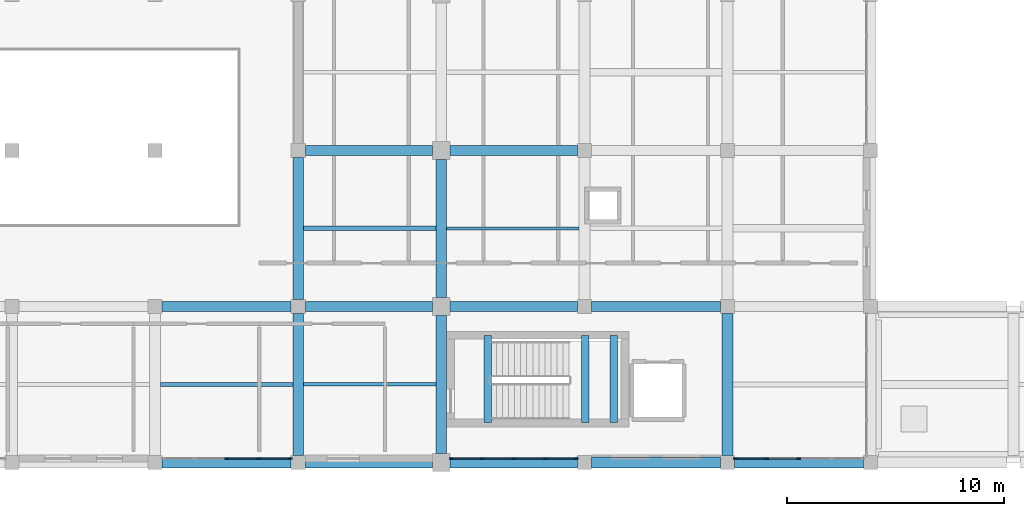
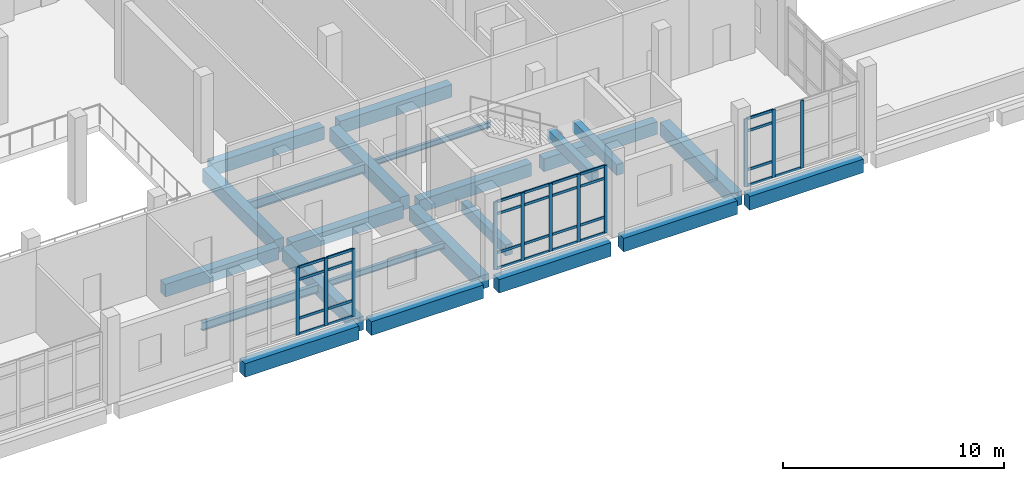
# One storey, part 15 of 90: 40 members, 23 beams, 3 elements without a shape of their own.
"""IFC4 building model written with IfcOpenShell, lengths in metres."""

from ifc_helpers import new_model, si_unit, direction, frame, origin, origin_2d, place, context, subcontext, project, spatial, rectangle, i_section, extrude, material, layer, layer_set, material_profile, profile_set, type_object, element, aggregate, save


model = new_model("IFC4")

# Units and contexts
model_context = context("Model", 3, precision=1e-05, world=origin(), true_north=direction((0.0, 1.0)))
body_context = subcontext(model_context, "Body", "Model", "MODEL_VIEW")
ifc_project = project(units=[si_unit("LENGTHUNIT", "METRE"), si_unit("AREAUNIT", "SQUARE_METRE"), si_unit("VOLUMEUNIT", "CUBIC_METRE"), si_unit("PLANEANGLEUNIT", "RADIAN"), si_unit("MASSUNIT", "GRAM", prefix="KILO")], contexts=[model_context])

# Site, building, storey
site_placement = place(None, origin())
site = spatial("IfcSite", under=ifc_project, at=site_placement, CompositionType="ELEMENT")
building_placement = place(site_placement, origin())
building = spatial("IfcBuilding", under=site, at=building_placement, Name="Kelarvand Opera House", CompositionType="ELEMENT")
storey_placement = place(building_placement, frame((0.0, 0.0, 5.39990234375)))
storey = spatial("IfcBuildingStorey", under=building, at=storey_placement, Name="L01", CompositionType="ELEMENT", Elevation=5.39990234375)

# Curtain wall, members
ifc_material_1 = material(Name="Thermally broken aluminium and low-E glazing", Category="aluminium")
ifc_layer_1 = layer(ifc_material_1, 0.179931640625, Name="Thermally broken aluminium and low-E glazing", Category="aluminium")
ifc_layer_set_1 = layer_set([ifc_layer_1], Name="Thermally broken aluminium and low-E glazing")
curtain_wall_type_1 = type_object("IfcCurtainWallType", Name="Unitised Low-E Curtain Wall 5930x3750 Mod 1350 CWF-55", PredefinedType="USERDEFINED", material=ifc_layer_set_1)
curtain_wall_1_placement = place(storey_placement, origin())
curtain_wall_1 = element("IfcCurtainWall", 1, at=curtain_wall_1_placement, inside=storey, type_object=curtain_wall_type_1, Name="V6 L01 Curtain Wall CWF-55 (213)", ObjectType="UNITISED CURTAIN WALL", PredefinedType="USERDEFINED")
ifc_material_2 = material(Name="Thermally broken anodised aluminium", Category="aluminium")
ifc_material_profile_1 = material_profile(ifc_material_2, rectangle(XDim=0.06494140625, YDim=0.179931640625, at=origin_2d()), Name="ALU MULLION 65x180", Category="aluminium")
ifc_profile_set_1 = profile_set([ifc_material_profile_1], Name="Thermally broken anodised aluminium")
member_type_1 = type_object("IfcMemberType", Name="Curtain Wall Mullion 65x180 Aluminium", PredefinedType="MULLION", material=ifc_profile_set_1)
member_1_placement = place(storey_placement, frame((131.89990234375, 9.179931640625, 0.0), z_axis=(0.0, 0.0, 1.0), x_axis=(0.0, -1.0, 0.0)))
member_1 = element("IfcMember", 2, at=member_1_placement, type_object=member_type_1, Name="CWF-55 mullion 3", PredefinedType="MULLION", context=body_context, shape_type="SweptSolid", body=[
    extrude(rectangle(XDim=0.06494140625, YDim=0.179931640625, at=origin_2d()), origin(), (0.0, 0.0, 1.0), 3.75),
])
member_2_placement = place(storey_placement, frame((130.41748046875, 9.179931640625, 0.0), z_axis=(0.0, 0.0, 1.0), x_axis=(0.0, -1.0, 0.0)))
member_2 = element("IfcMember", 3, at=member_2_placement, type_object=member_type_1, Name="CWF-55 mullion 4", PredefinedType="MULLION", context=body_context, shape_type="SweptSolid", body=[
    extrude(rectangle(XDim=0.06494140625, YDim=0.179931640625, at=origin_2d()), origin(), (0.0, 0.0, 1.0), 3.75),
])
member_3_placement = place(storey_placement, frame((128.967529296875, 9.179931640625, 0.0), z_axis=(0.0, 0.0, 1.0), x_axis=(0.0, -1.0, 0.0)))
member_3 = element("IfcMember", 4, at=member_3_placement, type_object=member_type_1, Name="CWF-55 mullion 5", PredefinedType="MULLION", context=body_context, shape_type="SweptSolid", body=[
    extrude(rectangle(XDim=0.06494140625, YDim=0.179931640625, at=origin_2d()), origin(), (0.0, 0.0, 1.0), 3.75),
])

ifc_layer_2 = layer(ifc_material_1, 0.179931640625, Name="Thermally broken aluminium and low-E glazing", Category="aluminium")
ifc_layer_set_2 = layer_set([ifc_layer_2], Name="Thermally broken aluminium and low-E glazing")
curtain_wall_type_2 = type_object("IfcCurtainWallType", Name="Unitised Low-E Curtain Wall 5845x3750 Mod 1350 CWF-56", PredefinedType="USERDEFINED", material=ifc_layer_set_2)
curtain_wall_2_placement = place(storey_placement, origin())
curtain_wall_2 = element("IfcCurtainWall", 5, at=curtain_wall_2_placement, inside=storey, type_object=curtain_wall_type_2, Name="V6 L01 Curtain Wall CWF-56 (214)", ObjectType="UNITISED CURTAIN WALL", PredefinedType="USERDEFINED")
member_4_placement = place(storey_placement, frame((121.632568359375, 9.179931640625, 0.0), z_axis=(0.0, 0.0, 1.0), x_axis=(0.0, -1.0, 0.0)))
member_4 = element("IfcMember", 6, at=member_4_placement, type_object=member_type_1, Name="CWF-56 mullion 1", PredefinedType="MULLION", context=body_context, shape_type="SweptSolid", body=[
    extrude(rectangle(XDim=0.06494140625, YDim=0.179931640625, at=origin_2d()), origin(), (0.0, 0.0, 1.0), 3.75),
])
member_5_placement = place(storey_placement, frame((120.203857421875, 9.179931640625, 0.0), z_axis=(0.0, 0.0, 1.0), x_axis=(0.0, -1.0, 0.0)))
member_5 = element("IfcMember", 7, at=member_5_placement, type_object=member_type_1, Name="CWF-56 mullion 2", PredefinedType="MULLION", context=body_context, shape_type="SweptSolid", body=[
    extrude(rectangle(XDim=0.06494140625, YDim=0.179931640625, at=origin_2d()), origin(), (0.0, 0.0, 1.0), 3.75),
])
member_6_placement = place(storey_placement, frame((118.742431640625, 9.179931640625, 0.0), z_axis=(0.0, 0.0, 1.0), x_axis=(0.0, -1.0, 0.0)))
member_6 = element("IfcMember", 8, at=member_6_placement, type_object=member_type_1, Name="CWF-56 mullion 3", PredefinedType="MULLION", context=body_context, shape_type="SweptSolid", body=[
    extrude(rectangle(XDim=0.06494140625, YDim=0.179931640625, at=origin_2d()), origin(), (0.0, 0.0, 1.0), 3.75),
])
member_7_placement = place(storey_placement, frame((117.28125, 9.179931640625, 0.0), z_axis=(0.0, 0.0, 1.0), x_axis=(0.0, -1.0, 0.0)))
member_7 = element("IfcMember", 9, at=member_7_placement, type_object=member_type_1, Name="CWF-56 mullion 4", PredefinedType="MULLION", context=body_context, shape_type="SweptSolid", body=[
    extrude(rectangle(XDim=0.06494140625, YDim=0.179931640625, at=origin_2d()), origin(), (0.0, 0.0, 1.0), 3.75),
])
member_8_placement = place(storey_placement, frame((115.8525390625, 9.179931640625, 0.0), z_axis=(0.0, 0.0, 1.0), x_axis=(0.0, -1.0, 0.0)))
member_8 = element("IfcMember", 10, at=member_8_placement, type_object=member_type_1, Name="CWF-56 mullion 5", PredefinedType="MULLION", context=body_context, shape_type="SweptSolid", body=[
    extrude(rectangle(XDim=0.06494140625, YDim=0.179931640625, at=origin_2d()), origin(), (0.0, 0.0, 1.0), 3.75),
])

curtain_wall_3_placement = place(storey_placement, origin())
curtain_wall_3 = element("IfcCurtainWall", 11, at=curtain_wall_3_placement, inside=storey, type_object=curtain_wall_type_1, Name="V6 L01 Curtain Wall CWF-55 (215)", ObjectType="UNITISED CURTAIN WALL", PredefinedType="USERDEFINED")
member_9_placement = place(storey_placement, frame((108.4326171875, 9.179931640625, 0.0), z_axis=(0.0, 0.0, 1.0), x_axis=(0.0, -1.0, 0.0)))
member_9 = element("IfcMember", 12, at=member_9_placement, type_object=member_type_1, Name="CWF-55 mullion 1", PredefinedType="MULLION", context=body_context, shape_type="SweptSolid", body=[
    extrude(rectangle(XDim=0.06494140625, YDim=0.179931640625, at=origin_2d()), origin(), (0.0, 0.0, 1.0), 3.75),
])
member_10_placement = place(storey_placement, frame((106.982421875, 9.179931640625, 0.0), z_axis=(0.0, 0.0, 1.0), x_axis=(0.0, -1.0, 0.0)))
member_10 = element("IfcMember", 13, at=member_10_placement, type_object=member_type_1, Name="CWF-55 mullion 2", PredefinedType="MULLION", context=body_context, shape_type="SweptSolid", body=[
    extrude(rectangle(XDim=0.06494140625, YDim=0.179931640625, at=origin_2d()), origin(), (0.0, 0.0, 1.0), 3.75),
])
member_11_placement = place(storey_placement, frame((105.5, 9.179931640625, 0.0), z_axis=(0.0, 0.0, 1.0), x_axis=(0.0, -1.0, 0.0)))
member_11 = element("IfcMember", 14, at=member_11_placement, type_object=member_type_1, Name="CWF-55 mullion 3", PredefinedType="MULLION", context=body_context, shape_type="SweptSolid", body=[
    extrude(rectangle(XDim=0.06494140625, YDim=0.179931640625, at=origin_2d()), origin(), (0.0, 0.0, 1.0), 3.75),
])

# Member
ifc_material_profile_2 = material_profile(ifc_material_2, rectangle(XDim=0.06494140625, YDim=0.139892578125, at=origin_2d()), Name="ALU TRANSOM 65x140", Category="aluminium")
ifc_profile_set_2 = profile_set([ifc_material_profile_2], Name="Thermally broken anodised aluminium")
member_type_2 = type_object("IfcMemberType", Name="Curtain Wall Transom 65x140 Aluminium", PredefinedType="USERDEFINED", material=ifc_profile_set_2)
member_12_placement = place(storey_placement, frame((131.867431640625, 9.179931640625, 0.03271484375), z_axis=(-1.0, 0.0, 0.0), x_axis=(0.0, -1.0, 0.0)))
member_12 = element("IfcMember", 15, at=member_12_placement, type_object=member_type_2, Name="CWF-55 transom 3.1", ObjectType="TRANSOM", PredefinedType="USERDEFINED", context=body_context, shape_type="SweptSolid", body=[
    extrude(rectangle(XDim=0.06494140625, YDim=0.139892578125, at=origin_2d()), origin(), (0.0, 0.0, 1.0), 1.41748046875),
])

member_13_placement = place(storey_placement, frame((130.385009765625, 9.179931640625, 0.03271484375), z_axis=(-1.0, 0.0, 0.0), x_axis=(0.0, -1.0, 0.0)))
member_13 = element("IfcMember", 16, at=member_13_placement, type_object=member_type_2, Name="CWF-55 transom 4.1", ObjectType="TRANSOM", PredefinedType="USERDEFINED", context=body_context, shape_type="SweptSolid", body=[
    extrude(rectangle(XDim=0.06494140625, YDim=0.139892578125, at=origin_2d()), origin(), (0.0, 0.0, 1.0), 1.385009765625),
])

member_14_placement = place(storey_placement, frame((130.385009765625, 9.179931640625, 0.900146484375), z_axis=(-1.0, 0.0, 0.0), x_axis=(0.0, -1.0, 0.0)))
member_14 = element("IfcMember", 17, at=member_14_placement, type_object=member_type_2, Name="CWF-55 transom 4.2", ObjectType="TRANSOM", PredefinedType="USERDEFINED", context=body_context, shape_type="SweptSolid", body=[
    extrude(rectangle(XDim=0.06494140625, YDim=0.139892578125, at=origin_2d()), origin(), (0.0, 0.0, 1.0), 1.385009765625),
])

member_15_placement = place(storey_placement, frame((130.385009765625, 9.179931640625, 3.050048828125), z_axis=(-1.0, 0.0, 0.0), x_axis=(0.0, -1.0, 0.0)))
member_15 = element("IfcMember", 18, at=member_15_placement, type_object=member_type_2, Name="CWF-55 transom 4.3", ObjectType="TRANSOM", PredefinedType="USERDEFINED", context=body_context, shape_type="SweptSolid", body=[
    extrude(rectangle(XDim=0.06494140625, YDim=0.139892578125, at=origin_2d()), origin(), (0.0, 0.0, 1.0), 1.385009765625),
])

member_16_placement = place(storey_placement, frame((130.385009765625, 9.179931640625, 3.717529296875), z_axis=(-1.0, 0.0, 0.0), x_axis=(0.0, -1.0, 0.0)))
member_16 = element("IfcMember", 19, at=member_16_placement, type_object=member_type_2, Name="CWF-55 transom 4.4", ObjectType="TRANSOM", PredefinedType="USERDEFINED", context=body_context, shape_type="SweptSolid", body=[
    extrude(rectangle(XDim=0.06494140625, YDim=0.139892578125, at=origin_2d()), origin(), (0.0, 0.0, 1.0), 1.385009765625),
])

aggregate(curtain_wall_1, [member_1, member_2, member_3, member_12, member_13, member_14, member_15, member_16])

member_17_placement = place(storey_placement, frame((121.60009765625, 9.179931640625, 0.03271484375), z_axis=(-1.0, 0.0, 0.0), x_axis=(0.0, -1.0, 0.0)))
member_17 = element("IfcMember", 20, at=member_17_placement, type_object=member_type_2, Name="CWF-56 transom 1.1", ObjectType="TRANSOM", PredefinedType="USERDEFINED", context=body_context, shape_type="SweptSolid", body=[
    extrude(rectangle(XDim=0.06494140625, YDim=0.139892578125, at=origin_2d()), origin(), (0.0, 0.0, 1.0), 1.36376953125),
])

member_18_placement = place(storey_placement, frame((121.60009765625, 9.179931640625, 0.900146484375), z_axis=(-1.0, 0.0, 0.0), x_axis=(0.0, -1.0, 0.0)))
member_18 = element("IfcMember", 21, at=member_18_placement, type_object=member_type_2, Name="CWF-56 transom 1.2", ObjectType="TRANSOM", PredefinedType="USERDEFINED", context=body_context, shape_type="SweptSolid", body=[
    extrude(rectangle(XDim=0.06494140625, YDim=0.139892578125, at=origin_2d()), origin(), (0.0, 0.0, 1.0), 1.36376953125),
])

member_19_placement = place(storey_placement, frame((121.60009765625, 9.179931640625, 3.050048828125), z_axis=(-1.0, 0.0, 0.0), x_axis=(0.0, -1.0, 0.0)))
member_19 = element("IfcMember", 22, at=member_19_placement, type_object=member_type_2, Name="CWF-56 transom 1.3", ObjectType="TRANSOM", PredefinedType="USERDEFINED", context=body_context, shape_type="SweptSolid", body=[
    extrude(rectangle(XDim=0.06494140625, YDim=0.139892578125, at=origin_2d()), origin(), (0.0, 0.0, 1.0), 1.36376953125),
])

member_20_placement = place(storey_placement, frame((121.60009765625, 9.179931640625, 3.717529296875), z_axis=(-1.0, 0.0, 0.0), x_axis=(0.0, -1.0, 0.0)))
member_20 = element("IfcMember", 23, at=member_20_placement, type_object=member_type_2, Name="CWF-56 transom 1.4", ObjectType="TRANSOM", PredefinedType="USERDEFINED", context=body_context, shape_type="SweptSolid", body=[
    extrude(rectangle(XDim=0.06494140625, YDim=0.139892578125, at=origin_2d()), origin(), (0.0, 0.0, 1.0), 1.36376953125),
])

member_21_placement = place(storey_placement, frame((120.171142578125, 9.179931640625, 0.03271484375), z_axis=(-1.0, 0.0, 0.0), x_axis=(0.0, -1.0, 0.0)))
member_21 = element("IfcMember", 24, at=member_21_placement, type_object=member_type_2, Name="CWF-56 transom 2.1", ObjectType="TRANSOM", PredefinedType="USERDEFINED", context=body_context, shape_type="SweptSolid", body=[
    extrude(rectangle(XDim=0.06494140625, YDim=0.139892578125, at=origin_2d()), origin(), (0.0, 0.0, 1.0), 1.396240234375),
])

member_22_placement = place(storey_placement, frame((120.171142578125, 9.179931640625, 0.900146484375), z_axis=(-1.0, 0.0, 0.0), x_axis=(0.0, -1.0, 0.0)))
member_22 = element("IfcMember", 25, at=member_22_placement, type_object=member_type_2, Name="CWF-56 transom 2.2", ObjectType="TRANSOM", PredefinedType="USERDEFINED", context=body_context, shape_type="SweptSolid", body=[
    extrude(rectangle(XDim=0.06494140625, YDim=0.139892578125, at=origin_2d()), origin(), (0.0, 0.0, 1.0), 1.396240234375),
])

member_23_placement = place(storey_placement, frame((120.171142578125, 9.179931640625, 3.050048828125), z_axis=(-1.0, 0.0, 0.0), x_axis=(0.0, -1.0, 0.0)))
member_23 = element("IfcMember", 26, at=member_23_placement, type_object=member_type_2, Name="CWF-56 transom 2.3", ObjectType="TRANSOM", PredefinedType="USERDEFINED", context=body_context, shape_type="SweptSolid", body=[
    extrude(rectangle(XDim=0.06494140625, YDim=0.139892578125, at=origin_2d()), origin(), (0.0, 0.0, 1.0), 1.396240234375),
])

member_24_placement = place(storey_placement, frame((120.171142578125, 9.179931640625, 3.717529296875), z_axis=(-1.0, 0.0, 0.0), x_axis=(0.0, -1.0, 0.0)))
member_24 = element("IfcMember", 27, at=member_24_placement, type_object=member_type_2, Name="CWF-56 transom 2.4", ObjectType="TRANSOM", PredefinedType="USERDEFINED", context=body_context, shape_type="SweptSolid", body=[
    extrude(rectangle(XDim=0.06494140625, YDim=0.139892578125, at=origin_2d()), origin(), (0.0, 0.0, 1.0), 1.396240234375),
])

member_25_placement = place(storey_placement, frame((118.7099609375, 9.179931640625, 0.03271484375), z_axis=(-1.0, 0.0, 0.0), x_axis=(0.0, -1.0, 0.0)))
member_25 = element("IfcMember", 28, at=member_25_placement, type_object=member_type_2, Name="CWF-56 transom 3.1", ObjectType="TRANSOM", PredefinedType="USERDEFINED", context=body_context, shape_type="SweptSolid", body=[
    extrude(rectangle(XDim=0.06494140625, YDim=0.139892578125, at=origin_2d()), origin(), (0.0, 0.0, 1.0), 1.396240234375),
])

member_26_placement = place(storey_placement, frame((118.7099609375, 9.179931640625, 0.900146484375), z_axis=(-1.0, 0.0, 0.0), x_axis=(0.0, -1.0, 0.0)))
member_26 = element("IfcMember", 29, at=member_26_placement, type_object=member_type_2, Name="CWF-56 transom 3.2", ObjectType="TRANSOM", PredefinedType="USERDEFINED", context=body_context, shape_type="SweptSolid", body=[
    extrude(rectangle(XDim=0.06494140625, YDim=0.139892578125, at=origin_2d()), origin(), (0.0, 0.0, 1.0), 1.396240234375),
])

member_27_placement = place(storey_placement, frame((118.7099609375, 9.179931640625, 3.050048828125), z_axis=(-1.0, 0.0, 0.0), x_axis=(0.0, -1.0, 0.0)))
member_27 = element("IfcMember", 30, at=member_27_placement, type_object=member_type_2, Name="CWF-56 transom 3.3", ObjectType="TRANSOM", PredefinedType="USERDEFINED", context=body_context, shape_type="SweptSolid", body=[
    extrude(rectangle(XDim=0.06494140625, YDim=0.139892578125, at=origin_2d()), origin(), (0.0, 0.0, 1.0), 1.396240234375),
])

member_28_placement = place(storey_placement, frame((118.7099609375, 9.179931640625, 3.717529296875), z_axis=(-1.0, 0.0, 0.0), x_axis=(0.0, -1.0, 0.0)))
member_28 = element("IfcMember", 31, at=member_28_placement, type_object=member_type_2, Name="CWF-56 transom 3.4", ObjectType="TRANSOM", PredefinedType="USERDEFINED", context=body_context, shape_type="SweptSolid", body=[
    extrude(rectangle(XDim=0.06494140625, YDim=0.139892578125, at=origin_2d()), origin(), (0.0, 0.0, 1.0), 1.396240234375),
])

member_29_placement = place(storey_placement, frame((117.248779296875, 9.179931640625, 0.03271484375), z_axis=(-1.0, 0.0, 0.0), x_axis=(0.0, -1.0, 0.0)))
member_29 = element("IfcMember", 32, at=member_29_placement, type_object=member_type_2, Name="CWF-56 transom 4.1", ObjectType="TRANSOM", PredefinedType="USERDEFINED", context=body_context, shape_type="SweptSolid", body=[
    extrude(rectangle(XDim=0.06494140625, YDim=0.139892578125, at=origin_2d()), origin(), (0.0, 0.0, 1.0), 1.36376953125),
])

member_30_placement = place(storey_placement, frame((117.248779296875, 9.179931640625, 0.900146484375), z_axis=(-1.0, 0.0, 0.0), x_axis=(0.0, -1.0, 0.0)))
member_30 = element("IfcMember", 33, at=member_30_placement, type_object=member_type_2, Name="CWF-56 transom 4.2", ObjectType="TRANSOM", PredefinedType="USERDEFINED", context=body_context, shape_type="SweptSolid", body=[
    extrude(rectangle(XDim=0.06494140625, YDim=0.139892578125, at=origin_2d()), origin(), (0.0, 0.0, 1.0), 1.36376953125),
])

member_31_placement = place(storey_placement, frame((117.248779296875, 9.179931640625, 3.050048828125), z_axis=(-1.0, 0.0, 0.0), x_axis=(0.0, -1.0, 0.0)))
member_31 = element("IfcMember", 34, at=member_31_placement, type_object=member_type_2, Name="CWF-56 transom 4.3", ObjectType="TRANSOM", PredefinedType="USERDEFINED", context=body_context, shape_type="SweptSolid", body=[
    extrude(rectangle(XDim=0.06494140625, YDim=0.139892578125, at=origin_2d()), origin(), (0.0, 0.0, 1.0), 1.36376953125),
])

member_32_placement = place(storey_placement, frame((117.248779296875, 9.179931640625, 3.717529296875), z_axis=(-1.0, 0.0, 0.0), x_axis=(0.0, -1.0, 0.0)))
member_32 = element("IfcMember", 35, at=member_32_placement, type_object=member_type_2, Name="CWF-56 transom 4.4", ObjectType="TRANSOM", PredefinedType="USERDEFINED", context=body_context, shape_type="SweptSolid", body=[
    extrude(rectangle(XDim=0.06494140625, YDim=0.139892578125, at=origin_2d()), origin(), (0.0, 0.0, 1.0), 1.36376953125),
])

aggregate(curtain_wall_2, [member_4, member_5, member_6, member_7, member_8, member_17, member_18, member_19, member_20, member_21, member_22, member_23, member_24, member_25, member_26, member_27, member_28, member_29, member_30, member_31, member_32])

member_33_placement = place(storey_placement, frame((108.39990234375, 9.179931640625, 0.03271484375), z_axis=(-1.0, 0.0, 0.0), x_axis=(0.0, -1.0, 0.0)))
member_33 = element("IfcMember", 36, at=member_33_placement, type_object=member_type_2, Name="CWF-55 transom 1.1", ObjectType="TRANSOM", PredefinedType="USERDEFINED", context=body_context, shape_type="SweptSolid", body=[
    extrude(rectangle(XDim=0.06494140625, YDim=0.139892578125, at=origin_2d()), origin(), (0.0, 0.0, 1.0), 1.385009765625),
])

member_34_placement = place(storey_placement, frame((108.39990234375, 9.179931640625, 0.900146484375), z_axis=(-1.0, 0.0, 0.0), x_axis=(0.0, -1.0, 0.0)))
member_34 = element("IfcMember", 37, at=member_34_placement, type_object=member_type_2, Name="CWF-55 transom 1.2", ObjectType="TRANSOM", PredefinedType="USERDEFINED", context=body_context, shape_type="SweptSolid", body=[
    extrude(rectangle(XDim=0.06494140625, YDim=0.139892578125, at=origin_2d()), origin(), (0.0, 0.0, 1.0), 1.385009765625),
])

member_35_placement = place(storey_placement, frame((108.39990234375, 9.179931640625, 3.050048828125), z_axis=(-1.0, 0.0, 0.0), x_axis=(0.0, -1.0, 0.0)))
member_35 = element("IfcMember", 38, at=member_35_placement, type_object=member_type_2, Name="CWF-55 transom 1.3", ObjectType="TRANSOM", PredefinedType="USERDEFINED", context=body_context, shape_type="SweptSolid", body=[
    extrude(rectangle(XDim=0.06494140625, YDim=0.139892578125, at=origin_2d()), origin(), (0.0, 0.0, 1.0), 1.385009765625),
])

member_36_placement = place(storey_placement, frame((108.39990234375, 9.179931640625, 3.717529296875), z_axis=(-1.0, 0.0, 0.0), x_axis=(0.0, -1.0, 0.0)))
member_36 = element("IfcMember", 39, at=member_36_placement, type_object=member_type_2, Name="CWF-55 transom 1.4", ObjectType="TRANSOM", PredefinedType="USERDEFINED", context=body_context, shape_type="SweptSolid", body=[
    extrude(rectangle(XDim=0.06494140625, YDim=0.139892578125, at=origin_2d()), origin(), (0.0, 0.0, 1.0), 1.385009765625),
])

member_37_placement = place(storey_placement, frame((106.949951171875, 9.179931640625, 0.03271484375), z_axis=(-1.0, 0.0, 0.0), x_axis=(0.0, -1.0, 0.0)))
member_37 = element("IfcMember", 40, at=member_37_placement, type_object=member_type_2, Name="CWF-55 transom 2.1", ObjectType="TRANSOM", PredefinedType="USERDEFINED", context=body_context, shape_type="SweptSolid", body=[
    extrude(rectangle(XDim=0.06494140625, YDim=0.139892578125, at=origin_2d()), origin(), (0.0, 0.0, 1.0), 1.41748046875),
])

member_38_placement = place(storey_placement, frame((106.949951171875, 9.179931640625, 0.900146484375), z_axis=(-1.0, 0.0, 0.0), x_axis=(0.0, -1.0, 0.0)))
member_38 = element("IfcMember", 41, at=member_38_placement, type_object=member_type_2, Name="CWF-55 transom 2.2", ObjectType="TRANSOM", PredefinedType="USERDEFINED", context=body_context, shape_type="SweptSolid", body=[
    extrude(rectangle(XDim=0.06494140625, YDim=0.139892578125, at=origin_2d()), origin(), (0.0, 0.0, 1.0), 1.41748046875),
])

member_39_placement = place(storey_placement, frame((106.949951171875, 9.179931640625, 3.050048828125), z_axis=(-1.0, 0.0, 0.0), x_axis=(0.0, -1.0, 0.0)))
member_39 = element("IfcMember", 42, at=member_39_placement, type_object=member_type_2, Name="CWF-55 transom 2.3", ObjectType="TRANSOM", PredefinedType="USERDEFINED", context=body_context, shape_type="SweptSolid", body=[
    extrude(rectangle(XDim=0.06494140625, YDim=0.139892578125, at=origin_2d()), origin(), (0.0, 0.0, 1.0), 1.41748046875),
])

member_40_placement = place(storey_placement, frame((106.949951171875, 9.179931640625, 3.717529296875), z_axis=(-1.0, 0.0, 0.0), x_axis=(0.0, -1.0, 0.0)))
member_40 = element("IfcMember", 43, at=member_40_placement, type_object=member_type_2, Name="CWF-55 transom 2.4", ObjectType="TRANSOM", PredefinedType="USERDEFINED", context=body_context, shape_type="SweptSolid", body=[
    extrude(rectangle(XDim=0.06494140625, YDim=0.139892578125, at=origin_2d()), origin(), (0.0, 0.0, 1.0), 1.41748046875),
])

aggregate(curtain_wall_3, [member_9, member_10, member_11, member_33, member_34, member_35, member_36, member_37, member_38, member_39, member_40])

# Beams
ifc_material_3 = material(Name="Concrete C35/45", Category="concrete")
ifc_material_profile_3 = material_profile(ifc_material_3, rectangle(XDim=0.35009765625, YDim=0.60009765625, at=origin_2d()), Name="RC 350x600", Category="concrete")
ifc_profile_set_3 = profile_set([ifc_material_profile_3], Name="Concrete C35/45")
beam_type_1 = type_object("IfcBeamType", Name="Structural Beam RC 350x600 BM-RC350x600", PredefinedType="BEAM", material=ifc_profile_set_3)
for number, where, z_axis, x_axis, name in (
    (44, (117.5400390625, 10.85009765625, -0.52001953125), (0.0, 1.0, 0.0), (-1.0, 0.0, 0.0), "C8 Stair Landing Support Beam L01"),
    (45, (122.050048828125, 10.85009765625, 1.900146484375), (0.0, 1.0, 0.0), (-1.0, 0.0, 0.0), "C8 Stair Half-Landing Beam 1 L01"),
    (46, (123.35009765625, 10.85009765625, 1.900146484375), (0.0, 1.0, 0.0), (-1.0, 0.0, 0.0), "C8 Stair Half-Landing Beam 2 L01"),
):
    element("IfcBeam", number, at=place(storey_placement, frame(where, z_axis=z_axis, x_axis=x_axis)), inside=storey, type_object=beam_type_1, Name=name, PredefinedType="BEAM", context=body_context, shape_type="SweptSolid", body=[
        extrude(rectangle(XDim=0.35009765625, YDim=0.60009765625, at=origin_2d()), origin(), (0.0, 0.0, 1.0), 4.0),
    ])
ifc_material_4 = material(Name="Concrete C40/50", Category="concrete")
ifc_material_profile_4 = material_profile(ifc_material_4, rectangle(XDim=0.449951171875, YDim=0.699951171875, at=origin_2d()), Name="RC 450x700", Category="concrete")
ifc_profile_set_4 = profile_set([ifc_material_profile_4], Name="Concrete C40/50")
beam_type_2 = type_object("IfcBeamType", Name="Structural Beam RC 450x700 BM-RC450x700", PredefinedType="BEAM", material=ifc_profile_set_4)
beam_1_placement = place(storey_placement, frame((102.52490234375, 16.199951171875, -0.64990234375), z_axis=(1.0, 0.0, 0.0), x_axis=(0.0, 1.0, 0.0)))
element("IfcBeam", 47, at=beam_1_placement, inside=storey, type_object=beam_type_2, Name="V6 L01 Beam BM-RC450x700", PredefinedType="BEAM", context=body_context, shape_type="SweptSolid", body=[
    extrude(rectangle(XDim=0.449951171875, YDim=0.699951171875, at=origin_2d()), origin(), (0.0, 0.0, 1.0), 5.9501953125),
])
for number, where, z_axis, x_axis, name in (
    (48, (109.125, 16.199951171875, -0.64990234375), (1.0, 0.0, 0.0), (0.0, 1.0, 0.0), "V6 L01 Beam BM-RC450x700"),
    (49, (115.81005859375, 16.199951171875, -0.64990234375), (1.0, 0.0, 0.0), (0.0, 1.0, 0.0), "V6 L01 Beam BM-RC450x700"),
):
    element("IfcBeam", number, at=place(storey_placement, frame(where, z_axis=z_axis, x_axis=x_axis)), inside=storey, type_object=beam_type_2, Name=name, PredefinedType="BEAM", context=body_context, shape_type="SweptSolid", body=[
        extrude(rectangle(XDim=0.449951171875, YDim=0.699951171875, at=origin_2d()), origin(), (0.0, 0.0, 1.0), 5.864990234375),
    ])
beam_2_placement = place(storey_placement, frame((122.324951171875, 16.199951171875, -0.64990234375), z_axis=(1.0, 0.0, 0.0), x_axis=(0.0, 1.0, 0.0)))
element("IfcBeam", 50, at=beam_2_placement, inside=storey, type_object=beam_type_2, Name="V6 L01 Beam BM-RC450x700", PredefinedType="BEAM", context=body_context, shape_type="SweptSolid", body=[
    extrude(rectangle(XDim=0.449951171875, YDim=0.699951171875, at=origin_2d()), origin(), (0.0, 0.0, 1.0), 5.949951171875),
])
for number, where, z_axis, x_axis, name in (
    (51, (109.125, 23.39990234375, -0.64990234375), (1.0, 0.0, 0.0), (0.0, 1.0, 0.0), "V6 L01 Beam BM-RC450x700"),
    (52, (115.81005859375, 23.39990234375, -0.64990234375), (1.0, 0.0, 0.0), (0.0, 1.0, 0.0), "V6 L01 Beam BM-RC450x700"),
):
    element("IfcBeam", number, at=place(storey_placement, frame(where, z_axis=z_axis, x_axis=x_axis)), inside=storey, type_object=beam_type_2, Name=name, PredefinedType="BEAM", context=body_context, shape_type="SweptSolid", body=[
        extrude(rectangle(XDim=0.449951171875, YDim=0.699951171875, at=origin_2d()), origin(), (0.0, 0.0, 1.0), 5.864990234375),
    ])
ifc_material_profile_5 = material_profile(ifc_material_4, rectangle(XDim=0.5, YDim=0.75, at=origin_2d()), Name="RC 500x750", Category="concrete")
ifc_profile_set_5 = profile_set([ifc_material_profile_5], Name="Concrete C40/50")
beam_type_3 = type_object("IfcBeamType", Name="Structural Beam RC 500x750 BM-RC500x750", PredefinedType="BEAM", material=ifc_profile_set_5)
for number, where, z_axis, x_axis, name in (
    (53, (108.800048828125, 9.324951171875, -0.6748046875), (0.0, 1.0, 0.0), (-1.0, 0.0, 0.0), "V6 L01 Beam BM-RC500x750"),
    (54, (108.800048828125, 16.52490234375, -0.6748046875), (0.0, 1.0, 0.0), (-1.0, 0.0, 0.0), "V6 L01 Beam BM-RC500x750"),
):
    element("IfcBeam", number, at=place(storey_placement, frame(where, z_axis=z_axis, x_axis=x_axis)), inside=storey, type_object=beam_type_3, Name=name, PredefinedType="BEAM", context=body_context, shape_type="SweptSolid", body=[
        extrude(rectangle(XDim=0.5, YDim=0.75, at=origin_2d()), origin(), (0.0, 0.0, 1.0), 6.550048828125),
    ])
beam_3_placement = place(storey_placement, frame((115.39990234375, 9.409912109375, -0.6748046875), z_axis=(0.0, 1.0, 0.0), x_axis=(-1.0, 0.0, 0.0)))
element("IfcBeam", 55, at=beam_3_placement, inside=storey, type_object=beam_type_3, Name="V6 L01 Beam BM-RC500x750", PredefinedType="BEAM", context=body_context, shape_type="SweptSolid", body=[
    extrude(rectangle(XDim=0.5, YDim=0.75, at=origin_2d()), origin(), (0.0, 0.0, 1.0), 6.380126953125),
])
beam_4_placement = place(storey_placement, frame((115.39990234375, 16.610107421875, -0.6748046875), z_axis=(0.0, 1.0, 0.0), x_axis=(-1.0, 0.0, 0.0)))
element("IfcBeam", 56, at=beam_4_placement, inside=storey, type_object=beam_type_3, Name="V6 L01 Beam BM-RC500x750", PredefinedType="BEAM", context=body_context, shape_type="SweptSolid", body=[
    extrude(rectangle(XDim=0.5, YDim=0.75, at=origin_2d()), origin(), (0.0, 0.0, 1.0), 6.3798828125),
])
beam_5_placement = place(storey_placement, frame((128.60009765625, 9.324951171875, -0.6748046875), z_axis=(0.0, 1.0, 0.0), x_axis=(-1.0, 0.0, 0.0)))
element("IfcBeam", 57, at=beam_5_placement, inside=storey, type_object=beam_type_3, Name="V6 L01 Beam BM-RC500x750", PredefinedType="BEAM", context=body_context, shape_type="SweptSolid", body=[
    extrude(rectangle(XDim=0.5, YDim=0.75, at=origin_2d()), origin(), (0.0, 0.0, 1.0), 6.550048828125),
])
ifc_material_5 = material(Name="Steel S355", Category="steel")
ifc_material_profile_6 = material_profile(ifc_material_5, i_section(OverallWidth=0.14990234375, OverallDepth=0.300048828125, WebThickness=0.007080078125, FlangeThickness=0.0107421875, at=origin_2d()), Name="IPE 300", Category="steel")
ifc_profile_set_6 = profile_set([ifc_material_profile_6], Name="Steel S355")
beam_type_4 = type_object("IfcBeamType", Name="Structural Joist IPE 300 JS-IPE300", PredefinedType="JOIST", material=ifc_profile_set_6)
beam_6_placement = place(storey_placement, frame((115.64990234375, 19.800048828125, -0.449951171875), z_axis=(1.0, 0.0, 0.0), x_axis=(0.0, 1.0, 0.0)))
element("IfcBeam", 58, at=beam_6_placement, inside=storey, type_object=beam_type_4, Name="V6 L01 Beam JS-IPE300", PredefinedType="JOIST", context=body_context, shape_type="SweptSolid", body=[
    extrude(i_section(OverallWidth=0.14990234375, OverallDepth=0.300048828125, WebThickness=0.007080078125, FlangeThickness=0.0107421875, at=origin_2d()), origin(), (0.0, 0.0, 1.0), 6.10009765625),
])
ifc_material_profile_7 = material_profile(ifc_material_5, i_section(OverallWidth=0.159912109375, OverallDepth=0.330078125, WebThickness=0.007568359375, FlangeThickness=0.011474609375, at=origin_2d()), Name="IPE 330", Category="steel")
ifc_profile_set_7 = profile_set([ifc_material_profile_7], Name="Steel S355")
beam_type_5 = type_object("IfcBeamType", Name="Structural Joist IPE 330 JS-IPE330", PredefinedType="JOIST", material=ifc_profile_set_7)
beam_7_placement = place(storey_placement, frame((109.050048828125, 12.60009765625, -0.46484375), z_axis=(1.0, 0.0, 0.0), x_axis=(0.0, 1.0, 0.0)))
element("IfcBeam", 59, at=beam_7_placement, inside=storey, type_object=beam_type_5, Name="V6 L01 Beam JS-IPE330", PredefinedType="JOIST", context=body_context, shape_type="SweptSolid", body=[
    extrude(i_section(OverallWidth=0.159912109375, OverallDepth=0.330078125, WebThickness=0.007568359375, FlangeThickness=0.011474609375, at=origin_2d()), origin(), (0.0, 0.0, 1.0), 6.099853515625),
])
ifc_material_profile_8 = material_profile(ifc_material_5, i_section(OverallWidth=0.18994140625, OverallDepth=0.449951171875, WebThickness=0.009521484375, FlangeThickness=0.0146484375, at=origin_2d()), Name="IPE 450", Category="steel")
ifc_profile_set_8 = profile_set([ifc_material_profile_8], Name="Steel S355")
beam_type_6 = type_object("IfcBeamType", Name="Structural Joist IPE 450 JS-IPE450", PredefinedType="JOIST", material=ifc_profile_set_8)
beam_8_placement = place(storey_placement, frame((102.449951171875, 12.60009765625, -0.52490234375), z_axis=(1.0, 0.0, 0.0), x_axis=(0.0, 1.0, 0.0)))
element("IfcBeam", 60, at=beam_8_placement, inside=storey, type_object=beam_type_6, Name="V6 L01 Beam JS-IPE450", PredefinedType="JOIST", context=body_context, shape_type="SweptSolid", body=[
    extrude(i_section(OverallWidth=0.18994140625, OverallDepth=0.449951171875, WebThickness=0.009521484375, FlangeThickness=0.0146484375, at=origin_2d()), origin(), (0.0, 0.0, 1.0), 6.10009765625),
])
ifc_material_profile_9 = material_profile(ifc_material_5, i_section(OverallWidth=0.199951171875, OverallDepth=0.5, WebThickness=0.01025390625, FlangeThickness=0.01611328125, at=origin_2d()), Name="IPE 500", Category="steel")
ifc_profile_set_9 = profile_set([ifc_material_profile_9], Name="Steel S355")
beam_type_7 = type_object("IfcBeamType", Name="Structural Joist IPE 500 JS-IPE500", PredefinedType="JOIST", material=ifc_profile_set_9)
beam_9_placement = place(storey_placement, frame((109.050048828125, 19.800048828125, -0.5498046875), z_axis=(1.0, 0.0, 0.0), x_axis=(0.0, 1.0, 0.0)))
element("IfcBeam", 61, at=beam_9_placement, inside=storey, type_object=beam_type_7, Name="V6 L01 Beam JS-IPE500", PredefinedType="JOIST", context=body_context, shape_type="SweptSolid", body=[
    extrude(i_section(OverallWidth=0.199951171875, OverallDepth=0.5, WebThickness=0.01025390625, FlangeThickness=0.01611328125, at=origin_2d()), origin(), (0.0, 0.0, 1.0), 6.099853515625),
])
ifc_material_profile_10 = material_profile(ifc_material_4, rectangle(XDim=0.5, YDim=0.75, at=origin_2d()), Name="RC 500x750", Category="concrete")
ifc_profile_set_10 = profile_set([ifc_material_profile_10], Name="Concrete C40/50")
beam_type_8 = type_object("IfcBeamType", Name="Structural Spandrel RC 500x750 SP-RC500x750E", PredefinedType="SPANDREL", material=ifc_profile_set_10)
beam_10_placement = place(storey_placement, frame((102.52490234375, 9.0, -0.6748046875), z_axis=(1.0, 0.0, 0.0), x_axis=(0.0, 1.0, 0.0)))
element("IfcBeam", 62, at=beam_10_placement, inside=storey, type_object=beam_type_8, Name="V6 L01 Beam SP-RC500x750E", PredefinedType="SPANDREL", context=body_context, shape_type="SweptSolid", body=[
    extrude(rectangle(XDim=0.5, YDim=0.75, at=origin_2d()), origin(), (0.0, 0.0, 1.0), 5.9501953125),
])
for number, where, z_axis, x_axis, name in (
    (63, (109.125, 9.0, -0.6748046875), (1.0, 0.0, 0.0), (0.0, 1.0, 0.0), "V6 L01 Beam SP-RC500x750E"),
    (64, (115.81005859375, 9.0, -0.6748046875), (1.0, 0.0, 0.0), (0.0, 1.0, 0.0), "V6 L01 Beam SP-RC500x750E"),
):
    element("IfcBeam", number, at=place(storey_placement, frame(where, z_axis=z_axis, x_axis=x_axis)), inside=storey, type_object=beam_type_8, Name=name, PredefinedType="SPANDREL", context=body_context, shape_type="SweptSolid", body=[
        extrude(rectangle(XDim=0.5, YDim=0.75, at=origin_2d()), origin(), (0.0, 0.0, 1.0), 5.864990234375),
    ])
for number, where, z_axis, x_axis, name in (
    (65, (122.324951171875, 9.0, -0.6748046875), (1.0, 0.0, 0.0), (0.0, 1.0, 0.0), "V6 L01 Beam SP-RC500x750E"),
    (66, (128.925048828125, 9.0, -0.6748046875), (1.0, 0.0, 0.0), (0.0, 1.0, 0.0), "V6 L01 Beam SP-RC500x750E"),
):
    element("IfcBeam", number, at=place(storey_placement, frame(where, z_axis=z_axis, x_axis=x_axis)), inside=storey, type_object=beam_type_8, Name=name, PredefinedType="SPANDREL", context=body_context, shape_type="SweptSolid", body=[
        extrude(rectangle(XDim=0.5, YDim=0.75, at=origin_2d()), origin(), (0.0, 0.0, 1.0), 5.949951171875),
    ])

save(model, "model.ifc")
